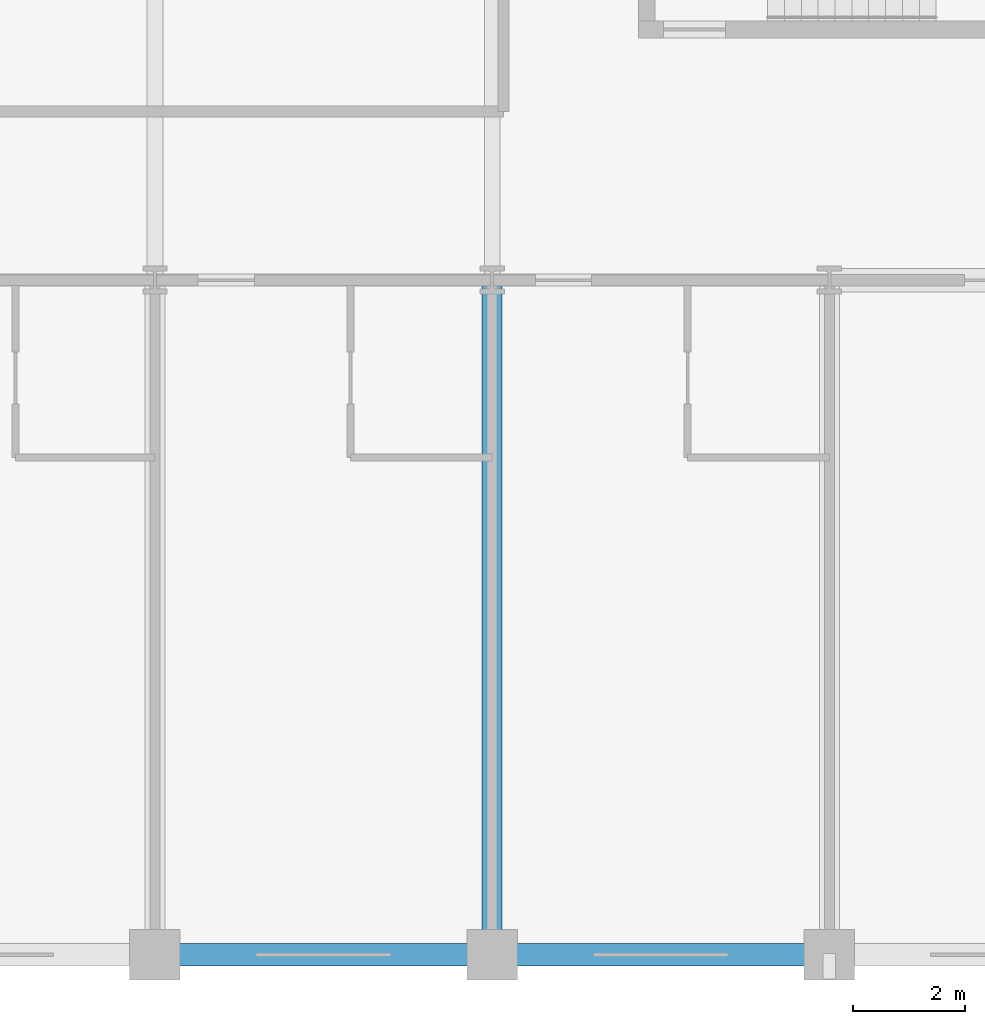
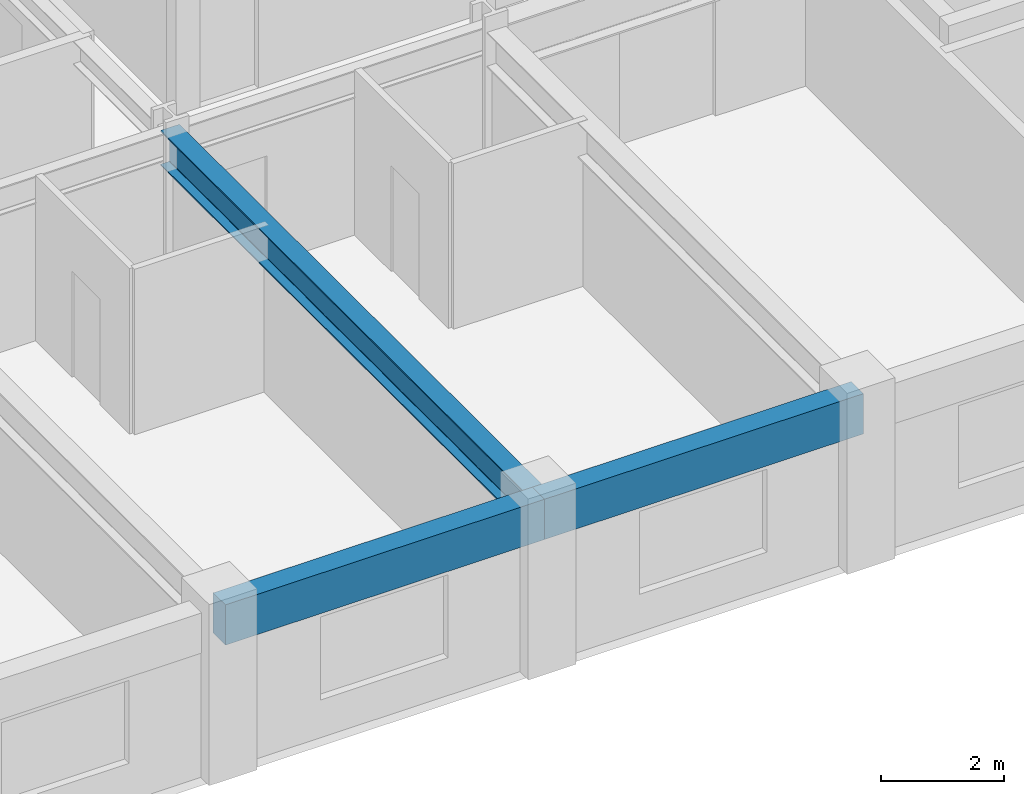
# One storey, part 3 of 22: 3 beams.
"""IFC4 building model written with IfcOpenShell, lengths in metres."""

from ifc_helpers import new_model, si_unit, direction, frame, origin, origin_2d, place, context, subcontext, project, spatial, rectangle, i_section, extrude, material, material_profile, profile_set, type_object, element, save


model = new_model("IFC4")

# Units and contexts
model_context = context("Model", 3, precision=1e-05, world=origin(), true_north=direction((0.0, 1.0)))
body_context = subcontext(model_context, "Body", "Model", "MODEL_VIEW")
ifc_project = project(units=[si_unit("LENGTHUNIT", "METRE"), si_unit("AREAUNIT", "SQUARE_METRE"), si_unit("VOLUMEUNIT", "CUBIC_METRE"), si_unit("PLANEANGLEUNIT", "RADIAN"), si_unit("MASSUNIT", "GRAM", prefix="KILO")], contexts=[model_context])

# Site, building, storey
site_placement = place(None, origin())
site = spatial("IfcSite", under=ifc_project, at=site_placement, CompositionType="ELEMENT")
building_placement = place(site_placement, origin())
building = spatial("IfcBuilding", under=site, at=building_placement, Name="Kaldorvane Square Convention Centre", CompositionType="ELEMENT")
storey_placement = place(building_placement, frame((0.0, 0.0, 34.80000305175781)))
storey = spatial("IfcBuildingStorey", under=building, at=storey_placement, Name="L07", CompositionType="ELEMENT", Elevation=34.80000305175781)

# Beams
ifc_material_1 = material(Name="Steel ASTM A992 Gr. 50", Category="steel")
ifc_material_profile_1 = material_profile(ifc_material_1, i_section(OverallWidth=0.354705810546875, OverallDepth=0.69549560546875, WebThickness=0.0153961181640625, FlangeThickness=0.0251007080078125, FilletRadius=0.01519775390625, at=origin_2d()), Name="W27X146")
ifc_profile_set_1 = profile_set([ifc_material_profile_1], Name="Steel ASTM A992 Gr. 50")
beam_type_1 = type_object("IfcBeamType", Name="BM-GR-W27X146", PredefinedType="BEAM", material=ifc_profile_set_1)
beam_placement = place(storey_placement, frame((36.0, 84.0, 2.93829345703125), z_axis=(0.0, 1.0, 0.0), x_axis=(-1.0, 0.0, 0.0)))
element("IfcBeam", 1, at=beam_placement, inside=storey, type_object=beam_type_1, Name="Transverse Girder (L07)", PredefinedType="BEAM", context=body_context, shape_type="SweptSolid", body=[
    extrude(i_section(OverallWidth=0.354705810546875, OverallDepth=0.69549560546875, WebThickness=0.0153961181640625, FlangeThickness=0.0251007080078125, FilletRadius=0.01519775390625, at=origin_2d()), origin(), (0.0, 0.0, 1.0), 12.0),
])
ifc_material_2 = material(Name="Concrete f'c = 42 MPa (Normalweight)", Category="concrete")
ifc_material_profile_2 = material_profile(ifc_material_2, rectangle(XDim=0.399993896484375, YDim=0.8000030517578125, at=origin_2d()), Name="RCSP800X400")
ifc_profile_set_2 = profile_set([ifc_material_profile_2], Name="Concrete f'c = 42 MPa (Normalweight)")
beam_type_2 = type_object("IfcBeamType", Name="BM-SP-RC800", PredefinedType="SPANDREL", material=ifc_profile_set_2)
for number, where, z_axis, x_axis, name in (
    (2, (30.0, 84.0, 2.8860015869140625), (1.0, 0.0, 0.0), (0.0, 1.0, 0.0), "Perimeter Spandrel (L07)"),
    (3, (36.0, 84.0, 2.8860015869140625), (1.0, 0.0, 0.0), (0.0, 1.0, 0.0), "Perimeter Spandrel (L07)"),
):
    element("IfcBeam", number, at=place(storey_placement, frame(where, z_axis=z_axis, x_axis=x_axis)), inside=storey, type_object=beam_type_2, Name=name, PredefinedType="SPANDREL", context=body_context, shape_type="SweptSolid", body=[
        extrude(rectangle(XDim=0.399993896484375, YDim=0.8000030517578125, at=origin_2d()), origin(), (0.0, 0.0, 1.0), 6.0),
    ])

save(model, "model.ifc")
